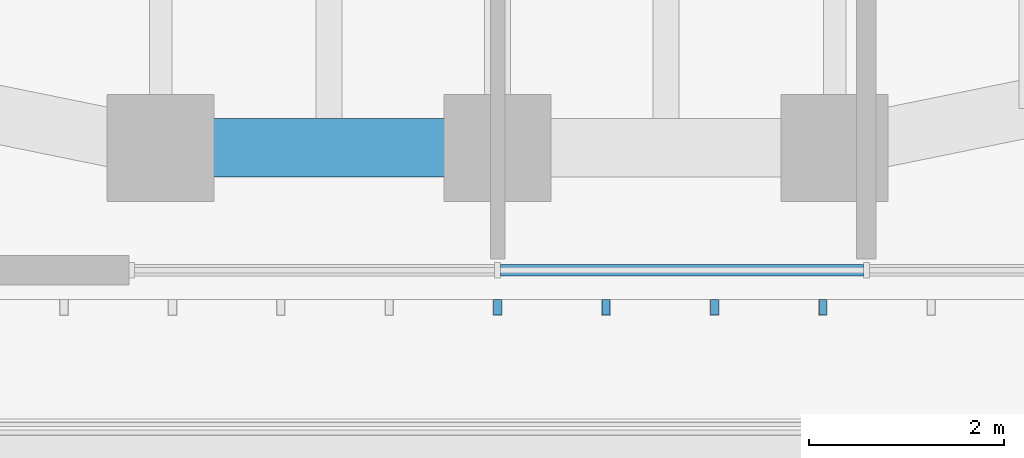
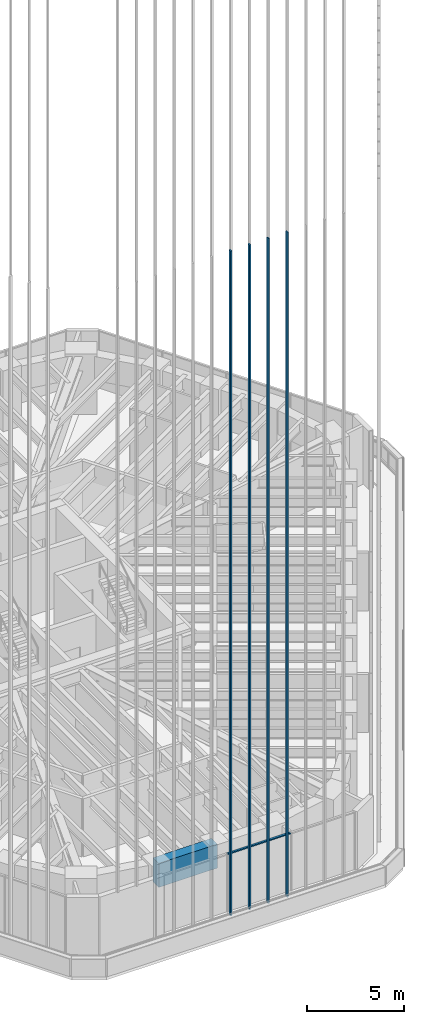
# One storey, part 15 of 127: 5 members, 1 beam, 1 element without a shape of its own.
"""IFC4 building model written with IfcOpenShell, lengths in metres."""

from ifc_helpers import new_model, si_unit, direction, frame, origin, origin_2d, place, context, subcontext, project, spatial, rectangle, extrude, material, material_profile, profile_set, type_object, element, aggregate, save


model = new_model("IFC4")

# Units and contexts
model_context = context("Model", 3, precision=1e-05, world=origin(), true_north=direction((0.0, 1.0)))
body_context = subcontext(model_context, "Body", "Model", "MODEL_VIEW")
ifc_project = project(units=[si_unit("LENGTHUNIT", "METRE"), si_unit("AREAUNIT", "SQUARE_METRE"), si_unit("VOLUMEUNIT", "CUBIC_METRE"), si_unit("PLANEANGLEUNIT", "RADIAN"), si_unit("MASSUNIT", "GRAM", prefix="KILO")], contexts=[model_context])

# Site, building, storey
site_placement = place(None, origin())
site = spatial("IfcSite", under=ifc_project, at=site_placement, CompositionType="ELEMENT")
building_placement = place(site_placement, origin())
building = spatial("IfcBuilding", under=site, at=building_placement, Name="Sandreach Pilgrim Tower", CompositionType="ELEMENT")
storey_placement = place(building_placement, frame((0.0, 0.0, 257.0)))
storey = spatial("IfcBuildingStorey", under=building, at=storey_placement, Name="L64", CompositionType="ELEMENT", Elevation=257.0)

# Curtain wall, member
ifc_material_1 = material(Name="Aluminium framed curtain wall", Category="aluminium")
curtain_wall_type = type_object("IfcCurtainWallType", Name="Suite tower curtain wall", PredefinedType="NOTDEFINED", material=ifc_material_1)
curtain_wall_placement = place(storey_placement, origin())
curtain_wall = element("IfcCurtainWall", 1, at=curtain_wall_placement, inside=storey, type_object=curtain_wall_type, Name="CW-4 L64 SA", PredefinedType="NOTDEFINED")
ifc_material_2 = material(Name="Aluminium extrusion", Category="aluminium")
ifc_material_profile_1 = material_profile(ifc_material_2, rectangle(XDim=0.1201171875, YDim=0.070068359375, at=origin_2d()), Name="CW-4T 120X70")
ifc_profile_set_1 = profile_set([ifc_material_profile_1], Name="Aluminium extrusion")
member_type_1 = type_object("IfcMemberType", Name="CW-4 transom", PredefinedType="USERDEFINED", material=ifc_profile_set_1)
member_1_placement = place(storey_placement, frame((3.76171875, -24.858154296875, 3.60498046875), z_axis=(-1.0, 0.0, 0.0), x_axis=(0.0, -1.0, 0.0)))
member_1 = element("IfcMember", 2, at=member_1_placement, type_object=member_type_1, Name="CW-4 head transom 2", ObjectType="TRANSOM", PredefinedType="USERDEFINED", context=body_context, shape_type="SweptSolid", body=[
    extrude(rectangle(XDim=0.1201171875, YDim=0.070068359375, at=origin_2d()), origin(), (0.0, 0.0, 1.0), 3.731689453125),
])

# Beam
ifc_material_3 = material(Name="Concrete 10000 psi", Category="concrete")
ifc_material_profile_2 = material_profile(ifc_material_3, rectangle(XDim=0.60009765625, YDim=1.5, at=origin_2d()), Name="RC600X1500")
ifc_profile_set_2 = profile_set([ifc_material_profile_2], Name="Concrete 10000 psi")
beam_type = type_object("IfcBeamType", Name="Spandrel beam RC600X1500", PredefinedType="SPANDREL", material=ifc_profile_set_2)
beam_placement = place(storey_placement, frame((0.0, -23.59814453125, 2.889892578125), z_axis=(-1.0, 0.0, 0.0), x_axis=(0.0, -1.0, 0.0)))
element("IfcBeam", 3, at=beam_placement, inside=storey, type_object=beam_type, Name="BM L64 SP24", PredefinedType="SPANDREL", context=body_context, shape_type="SweptSolid", body=[
    extrude(rectangle(XDim=0.60009765625, YDim=1.5, at=origin_2d()), origin(), (0.0, 0.0, 1.0), 3.465576171875),
])

# Member
ifc_material_4 = material(Name="Extruded terracotta on aluminium core", Category="masonry")
ifc_material_profile_3 = material_profile(ifc_material_4, rectangle(XDim=0.080078125, YDim=0.159912109375, at=origin_2d()), Name="TBS 80X160")
ifc_profile_set_3 = profile_set([ifc_material_profile_3], Name="Extruded terracotta on aluminium core")
member_type_2 = type_object("IfcMemberType", Name="Terracotta baguette south", PredefinedType="USERDEFINED", material=ifc_profile_set_3)
member_2_placement = place(storey_placement, frame((3.343994140625, -25.238037109375, 0.0), z_axis=(0.0, 0.0, 1.0), x_axis=(-1.0, 0.0, 0.0)))
member_2 = element("IfcMember", 4, at=member_2_placement, type_object=member_type_2, Name="Baguette Z4 S04", ObjectType="BAGUETTE", PredefinedType="USERDEFINED", context=body_context, shape_type="SweptSolid", body=[
    extrude(rectangle(XDim=0.080078125, YDim=0.159912109375, at=origin_2d()), origin(), (0.0, 0.0, 1.0), 41.639892578125),
])

member_3_placement = place(storey_placement, frame((2.229248046875, -25.238037109375, 0.0), z_axis=(0.0, 0.0, 1.0), x_axis=(-1.0, 0.0, 0.0)))
member_3 = element("IfcMember", 5, at=member_3_placement, type_object=member_type_2, Name="Baguette Z4 S05", ObjectType="BAGUETTE", PredefinedType="USERDEFINED", context=body_context, shape_type="SweptSolid", body=[
    extrude(rectangle(XDim=0.080078125, YDim=0.159912109375, at=origin_2d()), origin(), (0.0, 0.0, 1.0), 41.639892578125),
])

member_4_placement = place(storey_placement, frame((1.11474609375, -25.238037109375, 0.0), z_axis=(0.0, 0.0, 1.0), x_axis=(-1.0, 0.0, 0.0)))
member_4 = element("IfcMember", 6, at=member_4_placement, type_object=member_type_2, Name="Baguette Z4 S06", ObjectType="BAGUETTE", PredefinedType="USERDEFINED", context=body_context, shape_type="SweptSolid", body=[
    extrude(rectangle(XDim=0.080078125, YDim=0.159912109375, at=origin_2d()), origin(), (0.0, 0.0, 1.0), 41.639892578125),
])

member_5_placement = place(storey_placement, frame((0.0, -25.238037109375, 0.0), z_axis=(0.0, 0.0, 1.0), x_axis=(-1.0, 0.0, 0.0)))
member_5 = element("IfcMember", 7, at=member_5_placement, type_object=member_type_2, Name="Baguette Z4 S07", ObjectType="BAGUETTE", PredefinedType="USERDEFINED", context=body_context, shape_type="SweptSolid", body=[
    extrude(rectangle(XDim=0.080078125, YDim=0.159912109375, at=origin_2d()), origin(), (0.0, 0.0, 1.0), 41.639892578125),
])

aggregate(curtain_wall, [member_1, member_2, member_3, member_4, member_5])

save(model, "model.ifc")
